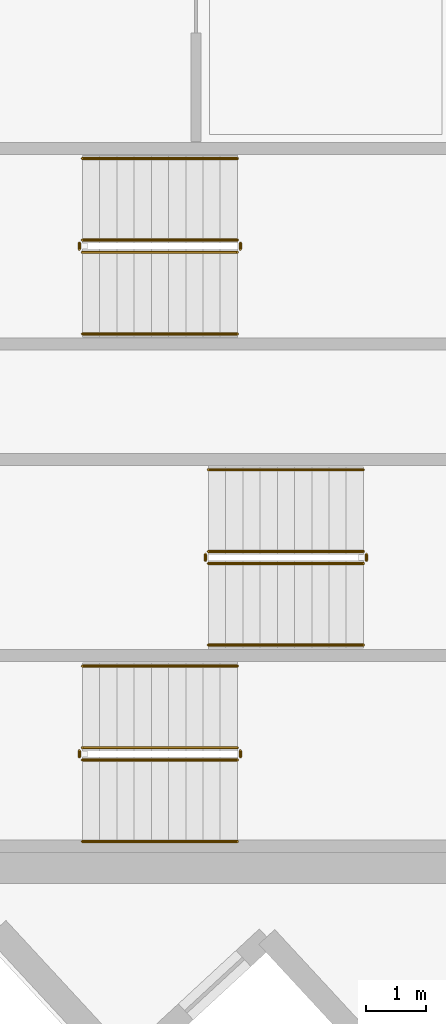
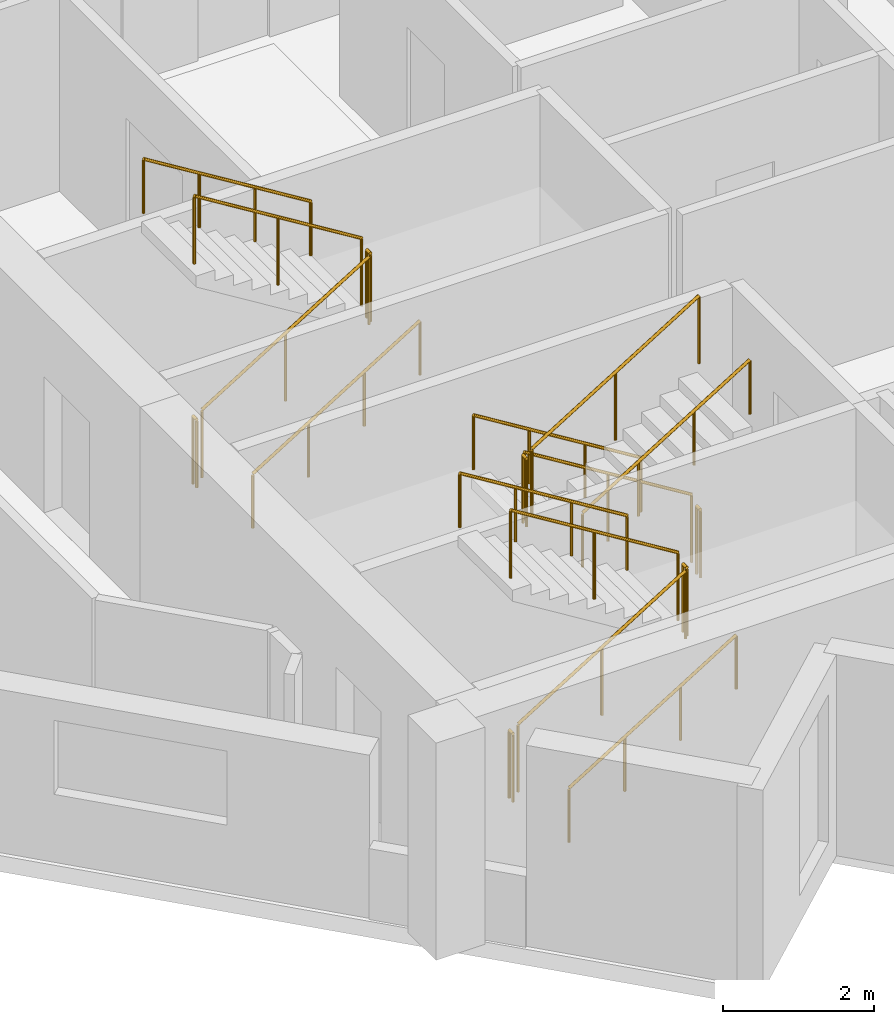
# One storey, part 12 of 13: 18 railings.
"""IFC4 building model written with IfcOpenShell, lengths in metres."""

from ifc_helpers import new_model, si_unit, direction, frame, origin, origin_2d, place, context, subcontext, project, spatial, circle, extrude, material, type_object, element, save


model = new_model("IFC4")

# Units and contexts
model_context = context("Model", 3, precision=1e-05, world=origin(), true_north=direction((0.0, 1.0)))
body_context = subcontext(model_context, "Body", "Model", "MODEL_VIEW")
ifc_project = project(units=[si_unit("LENGTHUNIT", "METRE"), si_unit("AREAUNIT", "SQUARE_METRE"), si_unit("VOLUMEUNIT", "CUBIC_METRE"), si_unit("PLANEANGLEUNIT", "RADIAN"), si_unit("MASSUNIT", "GRAM", prefix="KILO")], contexts=[model_context])

# Site, building, storey
site_placement = place(None, origin())
site = spatial("IfcSite", under=ifc_project, at=site_placement, CompositionType="ELEMENT")
building_placement = place(site_placement, origin())
building = spatial("IfcBuilding", under=site, at=building_placement, Name="Narakoshi Arena Tower", CompositionType="ELEMENT")
storey_placement = place(building_placement, frame((0.0, 0.0, 274.820068359375)))
storey = spatial("IfcBuildingStorey", under=building, at=storey_placement, Name="L75", CompositionType="ELEMENT", Elevation=274.820068359375)

# Railings
ifc_material_1 = material(Name="Clear low-iron laminated structural glass", Category="glass")
railing_type_1 = type_object("IfcRailingType", Name="RL-BAL-1100", PredefinedType="BALUSTRADE", material=ifc_material_1)
railing_1_placement = place(storey_placement, frame((74.39990234375, 36.949951171875, 0.176025390625)))
element("IfcRailing", 1, at=railing_1_placement, inside=storey, type_object=railing_type_1, Name="L75 ST1 stair guard 1", PredefinedType="BALUSTRADE", context=body_context, shape_type="SweptSolid", body=[
    extrude(circle(Radius=0.02392578125, at=origin_2d()), frame((0.0, 0.0, 1.09619140625), z_axis=(0.850856559306, 0.0, 0.525398054323), x_axis=(0.0, 1.0, 0.0)), (0.0, 0.0, 1.0), 3.014892578125),
    extrude(circle(Radius=0.02099609375, at=origin_2d()), origin(), (0.0, 0.0, 1.0), 1.072021484375),
    extrude(circle(Radius=0.02099609375, at=origin_2d()), frame((1.28271484375, 0.0, 0.7919921875)), (0.0, 0.0, 1.0), 1.072021484375),
    extrude(circle(Radius=0.02099609375, at=origin_2d()), frame((2.565185546875, 0.0, 1.583984375)), (0.0, 0.0, 1.0), 1.072021484375),
])
railing_2_placement = place(storey_placement, frame((77.014892578125, 37.0, 1.760009765625)))
element("IfcRailing", 2, at=railing_2_placement, inside=storey, type_object=railing_type_1, Name="L75 ST1 stair guard 2", PredefinedType="BALUSTRADE", context=body_context, shape_type="SweptSolid", body=[
    extrude(circle(Radius=0.02392578125, at=origin_2d()), frame((0.0, 0.0, 1.09619140625), z_axis=(0.0, 1.0, 0.0), x_axis=(-1.0, 0.0, 0.0)), (0.0, 0.0, 1.0), 0.10009765625),
    extrude(circle(Radius=0.02099609375, at=origin_2d()), origin(), (0.0, 0.0, 1.0), 1.072021484375),
    extrude(circle(Radius=0.02099609375, at=origin_2d()), frame((0.0, 0.10009765625, 0.0)), (0.0, 0.0, 1.0), 1.072021484375),
])
railing_3_placement = place(storey_placement, frame((76.965087890625, 37.14990234375, 1.93603515625)))
element("IfcRailing", 3, at=railing_3_placement, inside=storey, type_object=railing_type_1, Name="L75 ST1 stair guard 3", PredefinedType="BALUSTRADE", context=body_context, shape_type="SweptSolid", body=[
    extrude(circle(Radius=0.02392578125, at=origin_2d()), frame((0.0, 0.0, 1.09619140625), z_axis=(-0.850856559306, 0.0, 0.525398054323), x_axis=(0.0, -1.0, 0.0)), (0.0, 0.0, 1.0), 3.014892578125),
    extrude(circle(Radius=0.02099609375, at=origin_2d()), origin(), (0.0, 0.0, 1.0), 1.072021484375),
    extrude(circle(Radius=0.02099609375, at=origin_2d()), frame((-1.28271484375, 0.0, 0.7919921875)), (0.0, 0.0, 1.0), 1.072021484375),
    extrude(circle(Radius=0.02099609375, at=origin_2d()), frame((-2.565185546875, 0.0, 1.583984375)), (0.0, 0.0, 1.0), 1.072021484375),
])
railing_4_placement = place(storey_placement, frame((74.35009765625, 37.0, 0.0)))
element("IfcRailing", 4, at=railing_4_placement, inside=storey, type_object=railing_type_1, Name="L75 ST1 stair guard 4", PredefinedType="BALUSTRADE", context=body_context, shape_type="SweptSolid", body=[
    extrude(circle(Radius=0.02392578125, at=origin_2d()), frame((0.0, 0.0, 1.09619140625), z_axis=(0.0, 1.0, 0.0), x_axis=(-1.0, 0.0, 0.0)), (0.0, 0.0, 1.0), 0.10009765625),
    extrude(circle(Radius=0.02099609375, at=origin_2d()), origin(), (0.0, 0.0, 1.0), 1.072021484375),
    extrude(circle(Radius=0.02099609375, at=origin_2d()), frame((0.0, 0.10009765625, 0.0)), (0.0, 0.0, 1.0), 1.072021484375),
])
railing_5_placement = place(storey_placement, frame((79.050048828125, 40.39990234375, 0.176025390625)))
element("IfcRailing", 5, at=railing_5_placement, inside=storey, type_object=railing_type_1, Name="L75 ST2 stair guard 1", PredefinedType="BALUSTRADE", context=body_context, shape_type="SweptSolid", body=[
    extrude(circle(Radius=0.02392578125, at=origin_2d()), frame((0.0, 0.0, 1.09619140625), z_axis=(-0.850834203031, 0.0, 0.525434257497), x_axis=(0.0, -1.0, 0.0)), (0.0, 0.0, 1.0), 3.0146484375),
    extrude(circle(Radius=0.02099609375, at=origin_2d()), origin(), (0.0, 0.0, 1.0), 1.072021484375),
    extrude(circle(Radius=0.02099609375, at=origin_2d()), frame((-1.282470703125, 0.0, 0.7919921875)), (0.0, 0.0, 1.0), 1.072021484375),
    extrude(circle(Radius=0.02099609375, at=origin_2d()), frame((-2.56494140625, 0.0, 1.583984375)), (0.0, 0.0, 1.0), 1.072021484375),
])
railing_6_placement = place(storey_placement, frame((76.43505859375, 40.35009765625, 1.760009765625)))
element("IfcRailing", 6, at=railing_6_placement, inside=storey, type_object=railing_type_1, Name="L75 ST2 stair guard 2", PredefinedType="BALUSTRADE", context=body_context, shape_type="SweptSolid", body=[
    extrude(circle(Radius=0.02392578125, at=origin_2d()), frame((0.0, 0.0, 1.09619140625), z_axis=(0.0, -1.0, 0.0), x_axis=(1.0, 0.0, 0.0)), (0.0, 0.0, 1.0), 0.10009765625),
    extrude(circle(Radius=0.02099609375, at=origin_2d()), origin(), (0.0, 0.0, 1.0), 1.072021484375),
    extrude(circle(Radius=0.02099609375, at=origin_2d()), frame((0.0, -0.10009765625, 0.0)), (0.0, 0.0, 1.0), 1.072021484375),
])
railing_7_placement = place(storey_placement, frame((76.485107421875, 40.199951171875, 1.93603515625)))
element("IfcRailing", 7, at=railing_7_placement, inside=storey, type_object=railing_type_1, Name="L75 ST2 stair guard 3", PredefinedType="BALUSTRADE", context=body_context, shape_type="SweptSolid", body=[
    extrude(circle(Radius=0.02392578125, at=origin_2d()), frame((0.0, 0.0, 1.09619140625), z_axis=(0.850834203031, 0.0, 0.525434257497), x_axis=(0.0, 1.0, 0.0)), (0.0, 0.0, 1.0), 3.0146484375),
    extrude(circle(Radius=0.02099609375, at=origin_2d()), origin(), (0.0, 0.0, 1.0), 1.072021484375),
    extrude(circle(Radius=0.02099609375, at=origin_2d()), frame((1.282470703125, 0.0, 0.7919921875)), (0.0, 0.0, 1.0), 1.072021484375),
    extrude(circle(Radius=0.02099609375, at=origin_2d()), frame((2.56494140625, 0.0, 1.583984375)), (0.0, 0.0, 1.0), 1.072021484375),
])
railing_8_placement = place(storey_placement, frame((79.10009765625, 40.35009765625, 0.0)))
element("IfcRailing", 8, at=railing_8_placement, inside=storey, type_object=railing_type_1, Name="L75 ST2 stair guard 4", PredefinedType="BALUSTRADE", context=body_context, shape_type="SweptSolid", body=[
    extrude(circle(Radius=0.02392578125, at=origin_2d()), frame((0.0, 0.0, 1.09619140625), z_axis=(0.0, -1.0, 0.0), x_axis=(1.0, 0.0, 0.0)), (0.0, 0.0, 1.0), 0.10009765625),
    extrude(circle(Radius=0.02099609375, at=origin_2d()), origin(), (0.0, 0.0, 1.0), 1.072021484375),
    extrude(circle(Radius=0.02099609375, at=origin_2d()), frame((0.0, -0.10009765625, 0.0)), (0.0, 0.0, 1.0), 1.072021484375),
])
railing_9_placement = place(storey_placement, frame((74.39990234375, 45.35009765625, 0.176025390625)))
element("IfcRailing", 9, at=railing_9_placement, inside=storey, type_object=railing_type_1, Name="L75 ST3 stair guard 1", PredefinedType="BALUSTRADE", context=body_context, shape_type="SweptSolid", body=[
    extrude(circle(Radius=0.02392578125, at=origin_2d()), frame((0.0, 0.0, 1.09619140625), z_axis=(0.850856559306, 0.0, 0.525398054323), x_axis=(0.0, 1.0, 0.0)), (0.0, 0.0, 1.0), 3.014892578125),
    extrude(circle(Radius=0.02099609375, at=origin_2d()), origin(), (0.0, 0.0, 1.0), 1.072021484375),
    extrude(circle(Radius=0.02099609375, at=origin_2d()), frame((1.28271484375, 0.0, 0.7919921875)), (0.0, 0.0, 1.0), 1.072021484375),
    extrude(circle(Radius=0.02099609375, at=origin_2d()), frame((2.565185546875, 0.0, 1.583984375)), (0.0, 0.0, 1.0), 1.072021484375),
])
railing_10_placement = place(storey_placement, frame((77.014892578125, 45.39990234375, 1.760009765625)))
element("IfcRailing", 10, at=railing_10_placement, inside=storey, type_object=railing_type_1, Name="L75 ST3 stair guard 2", PredefinedType="BALUSTRADE", context=body_context, shape_type="SweptSolid", body=[
    extrude(circle(Radius=0.02392578125, at=origin_2d()), frame((0.0, 0.0, 1.09619140625), z_axis=(0.0, 1.0, 0.0), x_axis=(-1.0, 0.0, 0.0)), (0.0, 0.0, 1.0), 0.10009765625),
    extrude(circle(Radius=0.02099609375, at=origin_2d()), origin(), (0.0, 0.0, 1.0), 1.072021484375),
    extrude(circle(Radius=0.02099609375, at=origin_2d()), frame((0.0, 0.10009765625, 0.0)), (0.0, 0.0, 1.0), 1.072021484375),
])
railing_11_placement = place(storey_placement, frame((76.965087890625, 45.550048828125, 1.93603515625)))
element("IfcRailing", 11, at=railing_11_placement, inside=storey, type_object=railing_type_1, Name="L75 ST3 stair guard 3", PredefinedType="BALUSTRADE", context=body_context, shape_type="SweptSolid", body=[
    extrude(circle(Radius=0.02392578125, at=origin_2d()), frame((0.0, 0.0, 1.09619140625), z_axis=(-0.850856559306, 0.0, 0.525398054323), x_axis=(0.0, -1.0, 0.0)), (0.0, 0.0, 1.0), 3.014892578125),
    extrude(circle(Radius=0.02099609375, at=origin_2d()), origin(), (0.0, 0.0, 1.0), 1.072021484375),
    extrude(circle(Radius=0.02099609375, at=origin_2d()), frame((-1.28271484375, 0.0, 0.7919921875)), (0.0, 0.0, 1.0), 1.072021484375),
    extrude(circle(Radius=0.02099609375, at=origin_2d()), frame((-2.565185546875, 0.0, 1.583984375)), (0.0, 0.0, 1.0), 1.072021484375),
])
railing_12_placement = place(storey_placement, frame((74.35009765625, 45.39990234375, 0.0)))
element("IfcRailing", 12, at=railing_12_placement, inside=storey, type_object=railing_type_1, Name="L75 ST3 stair guard 4", PredefinedType="BALUSTRADE", context=body_context, shape_type="SweptSolid", body=[
    extrude(circle(Radius=0.02392578125, at=origin_2d()), frame((0.0, 0.0, 1.09619140625), z_axis=(0.0, 1.0, 0.0), x_axis=(-1.0, 0.0, 0.0)), (0.0, 0.0, 1.0), 0.10009765625),
    extrude(circle(Radius=0.02099609375, at=origin_2d()), origin(), (0.0, 0.0, 1.0), 1.072021484375),
    extrude(circle(Radius=0.02099609375, at=origin_2d()), frame((0.0, 0.10009765625, 0.0)), (0.0, 0.0, 1.0), 1.072021484375),
])
ifc_material_2 = material(Name="Brushed bronze stainless steel", Category="steel")
railing_type_2 = type_object("IfcRailingType", Name="RL-HND-900", PredefinedType="HANDRAIL", material=ifc_material_2)
railing_13_placement = place(storey_placement, frame((74.39990234375, 35.60009765625, 0.176025390625)))
element("IfcRailing", 13, at=railing_13_placement, inside=storey, type_object=railing_type_2, Name="L75 ST1 stair handrail 1", PredefinedType="HANDRAIL", context=body_context, shape_type="SweptSolid", body=[
    extrude(circle(Radius=0.02392578125, at=origin_2d()), frame((0.0, 0.0, 0.8759765625), z_axis=(0.850856559306, 0.0, 0.525398054323), x_axis=(0.0, 1.0, 0.0)), (0.0, 0.0, 1.0), 3.014892578125),
    extrude(circle(Radius=0.02099609375, at=origin_2d()), origin(), (0.0, 0.0, 1.0), 0.851806640625),
    extrude(circle(Radius=0.02099609375, at=origin_2d()), frame((0.85498046875, 0.0, 0.528076171875)), (0.0, 0.0, 1.0), 0.851806640625),
    extrude(circle(Radius=0.02099609375, at=origin_2d()), frame((1.710205078125, 0.0, 1.055908203125)), (0.0, 0.0, 1.0), 0.851806640625),
    extrude(circle(Radius=0.02099609375, at=origin_2d()), frame((2.565185546875, 0.0, 1.583984375)), (0.0, 0.0, 1.0), 0.851806640625),
])
railing_14_placement = place(storey_placement, frame((76.965087890625, 38.5, 1.93603515625)))
element("IfcRailing", 14, at=railing_14_placement, inside=storey, type_object=railing_type_2, Name="L75 ST1 stair handrail 2", PredefinedType="HANDRAIL", context=body_context, shape_type="SweptSolid", body=[
    extrude(circle(Radius=0.02392578125, at=origin_2d()), frame((0.0, 0.0, 0.8759765625), z_axis=(-0.850856559306, 0.0, 0.525398054323), x_axis=(0.0, -1.0, 0.0)), (0.0, 0.0, 1.0), 3.014892578125),
    extrude(circle(Radius=0.02099609375, at=origin_2d()), origin(), (0.0, 0.0, 1.0), 0.851806640625),
    extrude(circle(Radius=0.02099609375, at=origin_2d()), frame((-0.85498046875, 0.0, 0.528076171875)), (0.0, 0.0, 1.0), 0.851806640625),
    extrude(circle(Radius=0.02099609375, at=origin_2d()), frame((-1.710205078125, 0.0, 1.055908203125)), (0.0, 0.0, 1.0), 0.851806640625),
    extrude(circle(Radius=0.02099609375, at=origin_2d()), frame((-2.565185546875, 0.0, 1.583984375)), (0.0, 0.0, 1.0), 0.851806640625),
])
railing_15_placement = place(storey_placement, frame((79.050048828125, 41.75, 0.176025390625)))
element("IfcRailing", 15, at=railing_15_placement, inside=storey, type_object=railing_type_2, Name="L75 ST2 stair handrail 1", PredefinedType="HANDRAIL", context=body_context, shape_type="SweptSolid", body=[
    extrude(circle(Radius=0.02392578125, at=origin_2d()), frame((0.0, 0.0, 0.8759765625), z_axis=(-0.850834203031, 0.0, 0.525434257497), x_axis=(0.0, -1.0, 0.0)), (0.0, 0.0, 1.0), 3.0146484375),
    extrude(circle(Radius=0.02099609375, at=origin_2d()), origin(), (0.0, 0.0, 1.0), 0.851806640625),
    extrude(circle(Radius=0.02099609375, at=origin_2d()), frame((-0.85498046875, 0.0, 0.528076171875)), (0.0, 0.0, 1.0), 0.851806640625),
    extrude(circle(Radius=0.02099609375, at=origin_2d()), frame((-1.7099609375, 0.0, 1.055908203125)), (0.0, 0.0, 1.0), 0.851806640625),
    extrude(circle(Radius=0.02099609375, at=origin_2d()), frame((-2.56494140625, 0.0, 1.583984375)), (0.0, 0.0, 1.0), 0.851806640625),
])
railing_16_placement = place(storey_placement, frame((76.485107421875, 38.85009765625, 1.93603515625)))
element("IfcRailing", 16, at=railing_16_placement, inside=storey, type_object=railing_type_2, Name="L75 ST2 stair handrail 2", PredefinedType="HANDRAIL", context=body_context, shape_type="SweptSolid", body=[
    extrude(circle(Radius=0.02392578125, at=origin_2d()), frame((0.0, 0.0, 0.8759765625), z_axis=(0.850834203031, 0.0, 0.525434257497), x_axis=(0.0, 1.0, 0.0)), (0.0, 0.0, 1.0), 3.0146484375),
    extrude(circle(Radius=0.02099609375, at=origin_2d()), origin(), (0.0, 0.0, 1.0), 0.851806640625),
    extrude(circle(Radius=0.02099609375, at=origin_2d()), frame((0.85498046875, 0.0, 0.528076171875)), (0.0, 0.0, 1.0), 0.851806640625),
    extrude(circle(Radius=0.02099609375, at=origin_2d()), frame((1.7099609375, 0.0, 1.055908203125)), (0.0, 0.0, 1.0), 0.851806640625),
    extrude(circle(Radius=0.02099609375, at=origin_2d()), frame((2.56494140625, 0.0, 1.583984375)), (0.0, 0.0, 1.0), 0.851806640625),
])
railing_17_placement = place(storey_placement, frame((74.39990234375, 44.0, 0.176025390625)))
element("IfcRailing", 17, at=railing_17_placement, inside=storey, type_object=railing_type_2, Name="L75 ST3 stair handrail 1", PredefinedType="HANDRAIL", context=body_context, shape_type="SweptSolid", body=[
    extrude(circle(Radius=0.02392578125, at=origin_2d()), frame((0.0, 0.0, 0.8759765625), z_axis=(0.850856559306, 0.0, 0.525398054323), x_axis=(0.0, 1.0, 0.0)), (0.0, 0.0, 1.0), 3.014892578125),
    extrude(circle(Radius=0.02099609375, at=origin_2d()), origin(), (0.0, 0.0, 1.0), 0.851806640625),
    extrude(circle(Radius=0.02099609375, at=origin_2d()), frame((0.85498046875, 0.0, 0.528076171875)), (0.0, 0.0, 1.0), 0.851806640625),
    extrude(circle(Radius=0.02099609375, at=origin_2d()), frame((1.710205078125, 0.0, 1.055908203125)), (0.0, 0.0, 1.0), 0.851806640625),
    extrude(circle(Radius=0.02099609375, at=origin_2d()), frame((2.565185546875, 0.0, 1.583984375)), (0.0, 0.0, 1.0), 0.851806640625),
])
railing_18_placement = place(storey_placement, frame((76.965087890625, 46.89990234375, 1.93603515625)))
element("IfcRailing", 18, at=railing_18_placement, inside=storey, type_object=railing_type_2, Name="L75 ST3 stair handrail 2", PredefinedType="HANDRAIL", context=body_context, shape_type="SweptSolid", body=[
    extrude(circle(Radius=0.02392578125, at=origin_2d()), frame((0.0, 0.0, 0.8759765625), z_axis=(-0.850856559306, 0.0, 0.525398054323), x_axis=(0.0, -1.0, 0.0)), (0.0, 0.0, 1.0), 3.014892578125),
    extrude(circle(Radius=0.02099609375, at=origin_2d()), origin(), (0.0, 0.0, 1.0), 0.851806640625),
    extrude(circle(Radius=0.02099609375, at=origin_2d()), frame((-0.85498046875, 0.0, 0.528076171875)), (0.0, 0.0, 1.0), 0.851806640625),
    extrude(circle(Radius=0.02099609375, at=origin_2d()), frame((-1.710205078125, 0.0, 1.055908203125)), (0.0, 0.0, 1.0), 0.851806640625),
    extrude(circle(Radius=0.02099609375, at=origin_2d()), frame((-2.565185546875, 0.0, 1.583984375)), (0.0, 0.0, 1.0), 0.851806640625),
])

save(model, "model.ifc")
